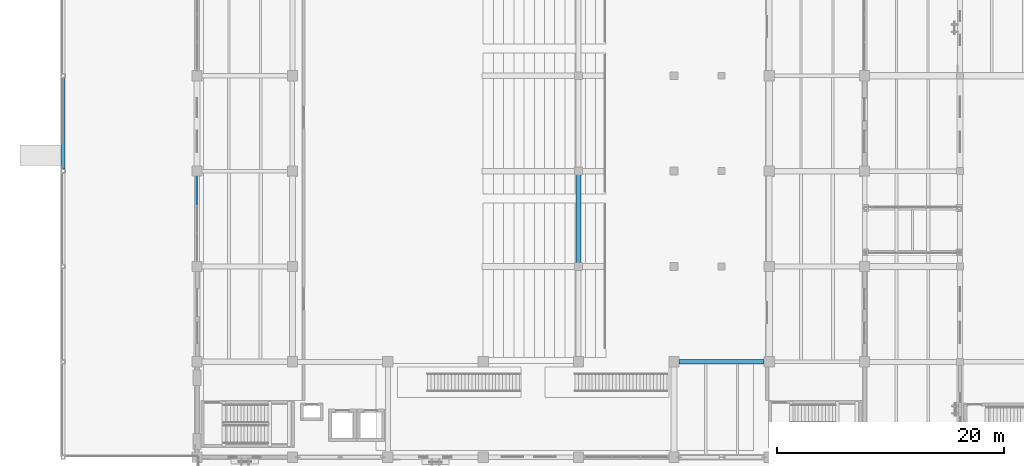
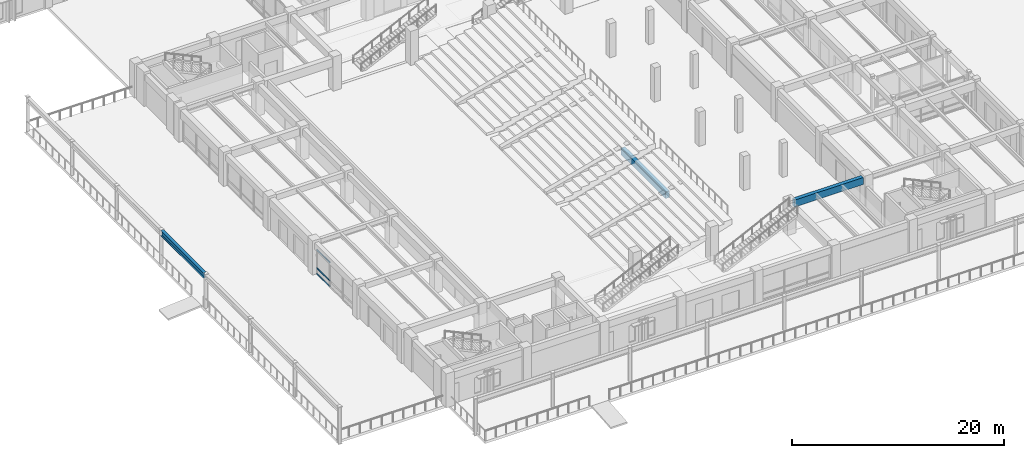
# One storey, part 26 of 135: 3 beams, 3 members, 1 element without a shape of its own.
"""IFC4 building model written with IfcOpenShell, lengths in metres."""

from ifc_helpers import new_model, si_unit, direction, frame, origin, origin_2d, place, context, subcontext, project, spatial, rectangle, i_section, extrude, material, material_profile, profile_set, type_object, element, aggregate, save


model = new_model("IFC4")

# Units and contexts
model_context = context("Model", 3, precision=1e-05, world=origin(), true_north=direction((0.0, 1.0)))
body_context = subcontext(model_context, "Body", "Model", "MODEL_VIEW")
ifc_project = project(units=[si_unit("LENGTHUNIT", "METRE"), si_unit("AREAUNIT", "SQUARE_METRE"), si_unit("VOLUMEUNIT", "CUBIC_METRE"), si_unit("PLANEANGLEUNIT", "RADIAN"), si_unit("MASSUNIT", "GRAM", prefix="KILO")], contexts=[model_context])

# Site, building, storey
site_placement = place(None, origin())
site = spatial("IfcSite", under=ifc_project, at=site_placement, CompositionType="ELEMENT")
building_placement = place(site_placement, origin())
building = spatial("IfcBuilding", under=site, at=building_placement, Name="Cumbredor Promenade Congress Hotel", CompositionType="ELEMENT")
storey_placement = place(building_placement, origin())
storey = spatial("IfcBuildingStorey", under=building, at=storey_placement, Name="L00", CompositionType="ELEMENT", Elevation=0.0)

# Beams
ifc_material_1 = material(Name="Concrete C40/50", Category="concrete")
ifc_material_profile_1 = material_profile(ifc_material_1, rectangle(XDim=0.449951171875, YDim=0.75, at=origin_2d()), Name="RC BEAM 450x750")
ifc_profile_set_1 = profile_set([ifc_material_profile_1], Name="Concrete C40/50")
beam_type_1 = type_object("IfcBeamType", Name="BM-RC-450x750", PredefinedType="BEAM", material=ifc_profile_set_1)
beam_1_placement = place(storey_placement, frame((42.0, 25.199951171875, 2.14990234375), z_axis=(0.0, 1.0, 0.0), x_axis=(-1.0, 0.0, 0.0)))
element("IfcBeam", 1, at=beam_1_placement, inside=storey, type_object=beam_type_1, Name="L00 Orchestra Raker Cross Stringer 2", PredefinedType="BEAM", context=body_context, shape_type="SweptSolid", body=[
    extrude(rectangle(XDim=0.449951171875, YDim=0.75, at=origin_2d()), origin(), (0.0, 0.0, 1.0), 8.400146484375),
])
ifc_material_2 = material(Name="Steel ASTM A992 Grade 50", Category="steel")
ifc_material_profile_2 = material_profile(ifc_material_2, i_section(OverallWidth=0.323974609375, OverallDepth=0.611083984375, WebThickness=0.0126953125, FlangeThickness=0.01904296875, at=origin_2d()), Name="W24X104")
ifc_profile_set_2 = profile_set([ifc_material_profile_2], Name="Steel ASTM A992 Grade 50")
beam_type_2 = type_object("IfcBeamType", Name="BM-W24X104", PredefinedType="BEAM", material=ifc_profile_set_2)
beam_2_placement = place(storey_placement, frame((-3.39990234375, 33.780029296875, 3.60009765625), z_axis=(0.0, 1.0, 0.0), x_axis=(-1.0, 0.0, 0.0)))
element("IfcBeam", 2, at=beam_2_placement, inside=storey, type_object=beam_type_2, Name="West Promenade Canopy Edge Beam 04", PredefinedType="BEAM", context=body_context, shape_type="SweptSolid", body=[
    extrude(i_section(OverallWidth=0.323974609375, OverallDepth=0.611083984375, WebThickness=0.0126953125, FlangeThickness=0.01904296875, at=origin_2d()), origin(), (0.0, 0.0, 1.0), 8.080078125),
])

# Curtain wall, members
ifc_material_3 = material(Name="Thermally broken anodized aluminium and low-E glass", Category="aluminium")
curtain_wall_type = type_object("IfcCurtainWallType", Name="Unitised Grand Foyer Curtain Wall CW-04", PredefinedType="NOTDEFINED", material=ifc_material_3)
curtain_wall_placement = place(storey_placement, origin())
curtain_wall = element("IfcCurtainWall", 3, at=curtain_wall_placement, inside=storey, type_object=curtain_wall_type, Name="L00 Plenary Congress Hall West Curtain Wall 3", PredefinedType="NOTDEFINED")
ifc_material_4 = material(Name="Thermally broken anodized aluminium", Category="aluminium")
ifc_material_profile_3 = material_profile(ifc_material_4, rectangle(XDim=0.06494140625, YDim=0.1298828125, at=origin_2d()), Name="ALU TRANSOM 65x130")
ifc_profile_set_3 = profile_set([ifc_material_profile_3], Name="Thermally broken anodized aluminium")
member_type = type_object("IfcMemberType", Name="Curtain Wall Transom TR-01", PredefinedType="USERDEFINED", material=ifc_profile_set_3)
member_1_placement = place(storey_placement, frame((8.39990234375, 30.664306640625, 0.070068359375), z_axis=(0.0, 1.0, 0.0), x_axis=(-1.0, 0.0, 0.0)))
member_1 = element("IfcMember", 4, at=member_1_placement, type_object=member_type, Name="L00 Plenary Congress Hall West Curtain Wall 3 Transom 3.1", ObjectType="TRANSOM", PredefinedType="USERDEFINED", context=body_context, shape_type="SweptSolid", body=[
    extrude(rectangle(XDim=0.06494140625, YDim=0.1298828125, at=origin_2d()), origin(), (0.0, 0.0, 1.0), 2.398193359375),
])
member_2_placement = place(storey_placement, frame((8.39990234375, 30.664306640625, 0.719970703125), z_axis=(0.0, 1.0, 0.0), x_axis=(-1.0, 0.0, 0.0)))
member_2 = element("IfcMember", 5, at=member_2_placement, type_object=member_type, Name="L00 Plenary Congress Hall West Curtain Wall 3 Transom 3.2", ObjectType="TRANSOM", PredefinedType="USERDEFINED", context=body_context, shape_type="SweptSolid", body=[
    extrude(rectangle(XDim=0.06494140625, YDim=0.1298828125, at=origin_2d()), origin(), (0.0, 0.0, 1.0), 2.398193359375),
])
member_3_placement = place(storey_placement, frame((8.39990234375, 30.664306640625, 2.81005859375), z_axis=(0.0, 1.0, 0.0), x_axis=(-1.0, 0.0, 0.0)))
member_3 = element("IfcMember", 6, at=member_3_placement, type_object=member_type, Name="L00 Plenary Congress Hall West Curtain Wall 3 Transom 3.3", ObjectType="TRANSOM", PredefinedType="USERDEFINED", context=body_context, shape_type="SweptSolid", body=[
    extrude(rectangle(XDim=0.06494140625, YDim=0.1298828125, at=origin_2d()), origin(), (0.0, 0.0, 1.0), 2.398193359375),
])
aggregate(curtain_wall, [member_1, member_2, member_3])

# Beam
ifc_material_profile_4 = material_profile(ifc_material_1, rectangle(XDim=0.39990234375, YDim=0.800048828125, at=origin_2d()), Name="RC SPANDREL 400x800")
ifc_profile_set_4 = profile_set([ifc_material_profile_4], Name="Concrete C40/50")
beam_type_3 = type_object("IfcBeamType", Name="SP-RC-400x800", PredefinedType="SPANDREL", material=ifc_profile_set_4)
beam_3_placement = place(storey_placement, frame((50.85009765625, 16.800048828125, 3.239990234375), z_axis=(1.0, 0.0, 0.0), x_axis=(0.0, 1.0, 0.0)))
element("IfcBeam", 7, at=beam_3_placement, inside=storey, type_object=beam_type_3, Name="L01 X-Grid Beam 074", PredefinedType="SPANDREL", context=body_context, shape_type="SweptSolid", body=[
    extrude(rectangle(XDim=0.39990234375, YDim=0.800048828125, at=origin_2d()), origin(), (0.0, 0.0, 1.0), 7.5),
])

save(model, "model.ifc")
